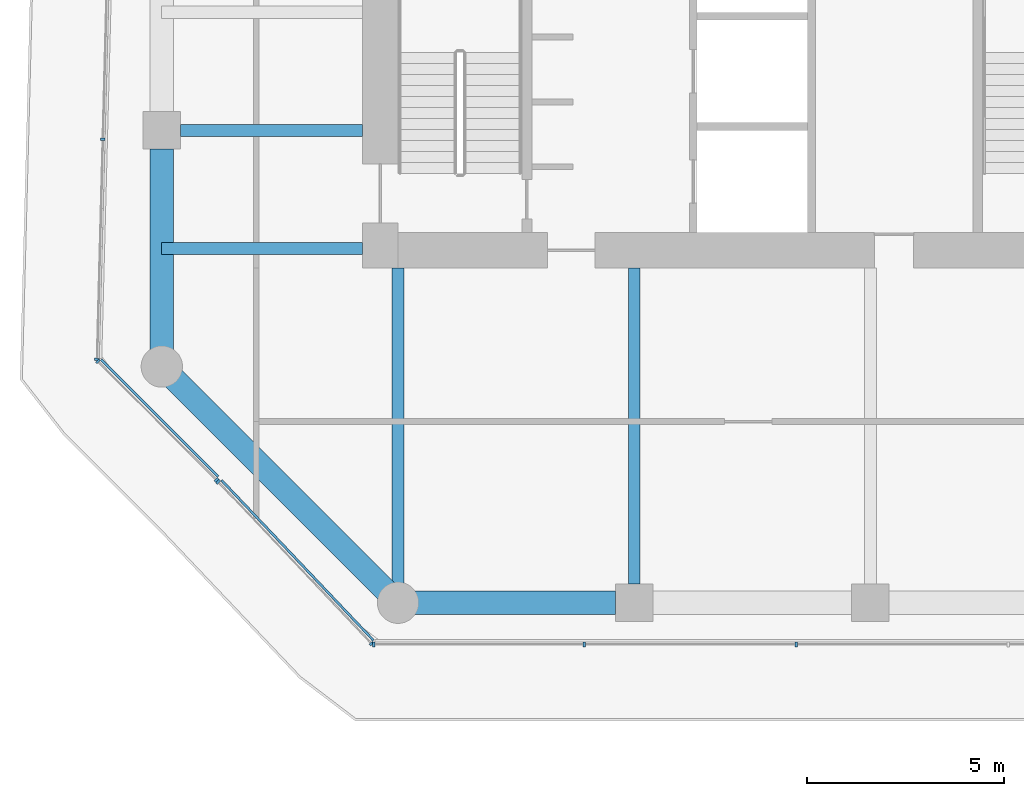
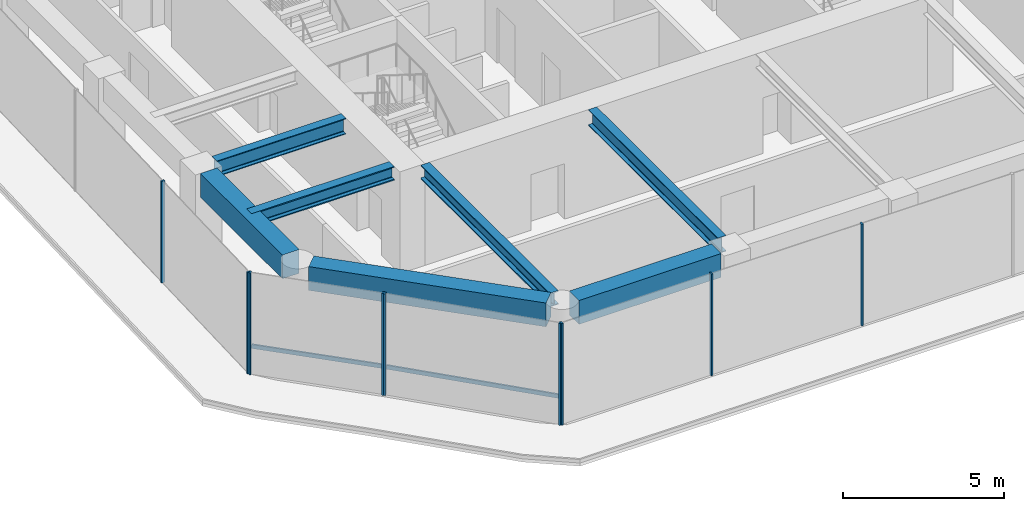
# One storey, part 2 of 28: 11 members, 7 beams, 4 elements without a shape of their own.
"""IFC4 building model written with IfcOpenShell, lengths in metres."""

from ifc_helpers import new_model, si_unit, direction, frame, origin, origin_2d, place, context, subcontext, project, spatial, rectangle, i_section, extrude, material, layer, layer_set, material_profile, profile_set, type_object, element, aggregate, save


model = new_model("IFC4")

# Units and contexts
model_context = context("Model", 3, precision=1e-05, world=origin(), true_north=direction((0.0, 1.0)))
body_context = subcontext(model_context, "Body", "Model", "MODEL_VIEW")
ifc_project = project(units=[si_unit("LENGTHUNIT", "METRE"), si_unit("AREAUNIT", "SQUARE_METRE"), si_unit("VOLUMEUNIT", "CUBIC_METRE"), si_unit("PLANEANGLEUNIT", "RADIAN"), si_unit("MASSUNIT", "GRAM", prefix="KILO")], contexts=[model_context])

# Site, building, storey
site_placement = place(None, origin())
site = spatial("IfcSite", under=ifc_project, at=site_placement, CompositionType="ELEMENT")
building_placement = place(site_placement, origin())
building = spatial("IfcBuilding", under=site, at=building_placement, Name="Welwitschia Terrace Campus", CompositionType="ELEMENT")
storey_placement = place(building_placement, frame((0.0, 0.0, 45.800048828125)))
storey = spatial("IfcBuildingStorey", under=building, at=storey_placement, Name="L10", CompositionType="ELEMENT", Elevation=45.800048828125)

# Beams
ifc_material_1 = material(Name="Steel S355", Category="steel")
ifc_material_profile_1 = material_profile(ifc_material_1, i_section(OverallWidth=0.305908203125, OverallDepth=0.52392578125, WebThickness=0.02099609375, FlangeThickness=0.0400390625, FilletRadius=0.027099609375, at=origin_2d()))
ifc_profile_set_1 = profile_set([ifc_material_profile_1], Name="Steel S355")
beam_type_1 = type_object("IfcBeamType", Name="Interior girder HE 500 M", PredefinedType="BEAM", material=ifc_profile_set_1)
beam_1_placement = place(storey_placement, frame((-0.010009765625, 5.0, 3.587890625), z_axis=(1.0, 0.0, 0.0), x_axis=(0.0, 1.0, 0.0)))
element("IfcBeam", 1, at=beam_1_placement, inside=storey, type_object=beam_type_1, Name="Girder GB2", PredefinedType="BEAM", context=body_context, shape_type="SweptSolid", body=[
    extrude(i_section(OverallWidth=0.305908203125, OverallDepth=0.52392578125, WebThickness=0.02099609375, FlangeThickness=0.0400390625, FilletRadius=0.027099609375, at=origin_2d()), origin(), (0.0, 0.0, 1.0), 5.109130859375),
])
beam_2_placement = place(storey_placement, frame((6.0, -3.507080078125, 3.587890625), z_axis=(0.0, 1.0, 0.0), x_axis=(-1.0, 0.0, 0.0)))
element("IfcBeam", 2, at=beam_2_placement, inside=storey, type_object=beam_type_1, Name="Girder GB2", PredefinedType="BEAM", context=body_context, shape_type="SweptSolid", body=[
    extrude(i_section(OverallWidth=0.305908203125, OverallDepth=0.52392578125, WebThickness=0.02099609375, FlangeThickness=0.0400390625, FilletRadius=0.027099609375, at=origin_2d()), origin(), (0.0, 0.0, 1.0), 8.006103515625),
])

# Curtain wall, members
ifc_material_2 = material(Name="Bronze anodised aluminium", Category="aluminium")
ifc_layer = layer(ifc_material_2, 0.1201171875)
ifc_layer_set = layer_set([ifc_layer], Name="Bronze anodised aluminium")
curtain_wall_type = type_object("IfcCurtainWallType", Name="Curtain wall CW2 tower 6000", PredefinedType="NOTDEFINED", material=ifc_layer_set)
curtain_wall_1_placement = place(storey_placement, origin())
curtain_wall_1 = element("IfcCurtainWall", 3, at=curtain_wall_1_placement, inside=storey, type_object=curtain_wall_type, Name="CW L10.0.0", PredefinedType="NOTDEFINED")
ifc_material_3 = material(Name="Bronze anodised aluminium", Category="aluminium")
ifc_material_profile_2 = material_profile(ifc_material_3, rectangle(XDim=0.1201171875, YDim=0.06005859375, at=origin_2d()))
ifc_profile_set_2 = profile_set([ifc_material_profile_2], Name="Bronze anodised aluminium")
member_type_1 = type_object("IfcMemberType", Name="Mullion 60x120", PredefinedType="MULLION", material=ifc_profile_set_2)
member_1_placement = place(storey_placement, frame((1.43017578125, -0.927490234375, 0.0), z_axis=(0.0, 0.0, 1.0), x_axis=(0.725374371012, 0.688354575694, 0.0)))
member_1 = element("IfcMember", 4, at=member_1_placement, type_object=member_type_1, Name="Mullion L10.0.0.0", PredefinedType="MULLION", context=body_context, shape_type="SweptSolid", body=[
    extrude(rectangle(XDim=0.1201171875, YDim=0.06005859375, at=origin_2d()), origin(), (0.0, 0.0, 1.0), 3.849853515625),
])
member_2_placement = place(storey_placement, frame((5.3291015625, -5.0361328125, 0.0), z_axis=(0.0, 0.0, 1.0), x_axis=(0.725374371012, 0.688354575694, 0.0)))
member_2 = element("IfcMember", 5, at=member_2_placement, type_object=member_type_1, Name="Mullion L10.0.0.1", PredefinedType="MULLION", context=body_context, shape_type="SweptSolid", body=[
    extrude(rectangle(XDim=0.1201171875, YDim=0.06005859375, at=origin_2d()), origin(), (0.0, 0.0, 1.0), 3.849853515625),
])

curtain_wall_2_placement = place(storey_placement, origin())
curtain_wall_2 = element("IfcCurtainWall", 6, at=curtain_wall_2_placement, inside=storey, type_object=curtain_wall_type, Name="CW L10.1.0", PredefinedType="NOTDEFINED")
member_3_placement = place(storey_placement, frame((5.3798828125, -5.05810546875, 0.0), z_axis=(0.0, 0.0, 1.0), x_axis=(0.0, 1.0, 0.0)))
member_3 = element("IfcMember", 7, at=member_3_placement, type_object=member_type_1, Name="Mullion L10.1.0.0", PredefinedType="MULLION", context=body_context, shape_type="SweptSolid", body=[
    extrude(rectangle(XDim=0.1201171875, YDim=0.06005859375, at=origin_2d()), origin(), (0.0, 0.0, 1.0), 3.849853515625),
])
member_4_placement = place(storey_placement, frame((10.7333984375, -5.05810546875, 0.0), z_axis=(0.0, 0.0, 1.0), x_axis=(0.0, 1.0, 0.0)))
member_4 = element("IfcMember", 8, at=member_4_placement, type_object=member_type_1, Name="Mullion L10.1.0.1", PredefinedType="MULLION", context=body_context, shape_type="SweptSolid", body=[
    extrude(rectangle(XDim=0.1201171875, YDim=0.06005859375, at=origin_2d()), origin(), (0.0, 0.0, 1.0), 3.849853515625),
])
member_5_placement = place(storey_placement, frame((16.1171875, -5.05810546875, 0.0), z_axis=(0.0, 0.0, 1.0), x_axis=(0.0, 1.0, 0.0)))
member_5 = element("IfcMember", 9, at=member_5_placement, type_object=member_type_1, Name="Mullion L10.1.0.2", PredefinedType="MULLION", context=body_context, shape_type="SweptSolid", body=[
    extrude(rectangle(XDim=0.1201171875, YDim=0.06005859375, at=origin_2d()), origin(), (0.0, 0.0, 1.0), 3.849853515625),
])
aggregate(curtain_wall_2, [member_3, member_4, member_5])

curtain_wall_3_placement = place(storey_placement, origin())
curtain_wall_3 = element("IfcCurtainWall", 10, at=curtain_wall_3_placement, inside=storey, type_object=curtain_wall_type, Name="CW L10.12.0", PredefinedType="NOTDEFINED")
member_6_placement = place(storey_placement, frame((-1.5, 7.77734375, 0.0), z_axis=(0.0, 0.0, 1.0), x_axis=(0.999657324976, -0.026176948308, 0.0)))
member_6 = element("IfcMember", 11, at=member_6_placement, type_object=member_type_1, Name="Mullion L10.12.0.3", PredefinedType="MULLION", context=body_context, shape_type="SweptSolid", body=[
    extrude(rectangle(XDim=0.1201171875, YDim=0.06005859375, at=origin_2d()), origin(), (0.0, 0.0, 1.0), 3.849853515625),
])
member_7_placement = place(storey_placement, frame((-1.646484375, 2.18115234375, 0.0), z_axis=(0.0, 0.0, 1.0), x_axis=(0.999657324976, -0.026176948308, 0.0)))
member_7 = element("IfcMember", 12, at=member_7_placement, type_object=member_type_1, Name="Mullion L10.12.0.4", PredefinedType="MULLION", context=body_context, shape_type="SweptSolid", body=[
    extrude(rectangle(XDim=0.1201171875, YDim=0.06005859375, at=origin_2d()), origin(), (0.0, 0.0, 1.0), 3.849853515625),
])
aggregate(curtain_wall_3, [member_6, member_7])

curtain_wall_4_placement = place(storey_placement, origin())
curtain_wall_4 = element("IfcCurtainWall", 13, at=curtain_wall_4_placement, inside=storey, type_object=curtain_wall_type, Name="CW L10.13.0", PredefinedType="NOTDEFINED")
member_8_placement = place(storey_placement, frame((-1.6259765625, 2.1298828125, 0.0), z_axis=(0.0, 0.0, 1.0), x_axis=(0.707106781187, 0.707106781187, 0.0)))
member_8 = element("IfcMember", 14, at=member_8_placement, type_object=member_type_1, Name="Mullion L10.13.0.0", PredefinedType="MULLION", context=body_context, shape_type="SweptSolid", body=[
    extrude(rectangle(XDim=0.1201171875, YDim=0.06005859375, at=origin_2d()), origin(), (0.0, 0.0, 1.0), 3.849853515625),
])
member_9_placement = place(storey_placement, frame((1.38818359375, -0.884521484375, 0.0), z_axis=(0.0, 0.0, 1.0), x_axis=(0.707106781187, 0.707106781187, 0.0)))
member_9 = element("IfcMember", 15, at=member_9_placement, type_object=member_type_1, Name="Mullion L10.13.0.1", PredefinedType="MULLION", context=body_context, shape_type="SweptSolid", body=[
    extrude(rectangle(XDim=0.1201171875, YDim=0.06005859375, at=origin_2d()), origin(), (0.0, 0.0, 1.0), 3.849853515625),
])

# Beams
ifc_material_4 = material(Name="Steel S355", Category="steel")
ifc_material_profile_3 = material_profile(ifc_material_4, i_section(OverallWidth=0.300048828125, OverallDepth=0.60009765625, WebThickness=0.015380859375, FlangeThickness=0.030029296875, FilletRadius=0.027099609375, at=origin_2d()))
ifc_profile_set_3 = profile_set([ifc_material_profile_3], Name="Steel S355")
beam_type_2 = type_object("IfcBeamType", Name="Primary beam HE 600 B", PredefinedType="BEAM", material=ifc_profile_set_3)
beam_3_placement = place(storey_placement, frame((12.0, -3.5244140625, 3.550048828125), z_axis=(0.0, 1.0, 0.0), x_axis=(-1.0, 0.0, 0.0)))
element("IfcBeam", 16, at=beam_3_placement, inside=storey, type_object=beam_type_2, Name="Primary beam PB2", PredefinedType="BEAM", context=body_context, shape_type="SweptSolid", body=[
    extrude(i_section(OverallWidth=0.300048828125, OverallDepth=0.60009765625, WebThickness=0.015380859375, FlangeThickness=0.030029296875, FilletRadius=0.027099609375, at=origin_2d()), origin(), (0.0, 0.0, 1.0), 8.0244140625),
])
beam_4_placement = place(storey_placement, frame((0.4755859375, 8.0, 3.550048828125), z_axis=(1.0, 0.0, 0.0), x_axis=(0.0, 1.0, 0.0)))
element("IfcBeam", 17, at=beam_4_placement, inside=storey, type_object=beam_type_2, Name="Primary beam PB2", PredefinedType="BEAM", context=body_context, shape_type="SweptSolid", body=[
    extrude(i_section(OverallWidth=0.300048828125, OverallDepth=0.60009765625, WebThickness=0.015380859375, FlangeThickness=0.030029296875, FilletRadius=0.027099609375, at=origin_2d()), origin(), (0.0, 0.0, 1.0), 4.62451171875),
])
ifc_material_5 = material(Name="Concrete C60/75", Category="concrete")
ifc_material_profile_4 = material_profile(ifc_material_5, rectangle(XDim=0.60009765625, YDim=0.89990234375, at=origin_2d()))
ifc_profile_set_4 = profile_set([ifc_material_profile_4], Name="Concrete C60/75")
beam_type_3 = type_object("IfcBeamType", Name="Ring spandrel 600x900", PredefinedType="SPANDREL", material=ifc_profile_set_4)
beam_5_placement = place(storey_placement, frame((0.30517578125, 1.69482421875, 3.39990234375), z_axis=(0.707106781187, -0.707106781187, 0.0), x_axis=(0.707106781187, 0.707106781187, 0.0)))
element("IfcBeam", 18, at=beam_5_placement, inside=storey, type_object=beam_type_3, Name="Spandrel SP2", PredefinedType="SPANDREL", context=body_context, shape_type="SweptSolid", body=[
    extrude(rectangle(XDim=0.60009765625, YDim=0.89990234375, at=origin_2d()), origin(), (0.0, 0.0, 1.0), 7.6220703125),
])
for number, where, z_axis, x_axis, name in (
    (19, (6.431396484375, -4.0, 3.39990234375), (1.0, 0.0, 0.0), (0.0, 1.0, 0.0), "Spandrel SP2"),
    (20, (0.0, 7.5244140625, 3.39990234375), (0.0, -1.0, 0.0), (1.0, 0.0, 0.0), "Spandrel SP2"),
):
    element("IfcBeam", number, at=place(storey_placement, frame(where, z_axis=z_axis, x_axis=x_axis)), inside=storey, type_object=beam_type_3, Name=name, PredefinedType="SPANDREL", context=body_context, shape_type="SweptSolid", body=[
        extrude(rectangle(XDim=0.60009765625, YDim=0.89990234375, at=origin_2d()), origin(), (0.0, 0.0, 1.0), 5.093017578125),
    ])

# Member
ifc_material_6 = material(Name="Bronze anodised aluminium", Category="aluminium")
ifc_material_profile_5 = material_profile(ifc_material_6, rectangle(XDim=0.06005859375, YDim=0.14990234375, at=origin_2d()))
ifc_profile_set_5 = profile_set([ifc_material_profile_5], Name="Bronze anodised aluminium")
member_type_2 = type_object("IfcMemberType", Name="Transom 60x150", PredefinedType="USERDEFINED", material=ifc_profile_set_5)
member_10_placement = place(storey_placement, frame((1.51611328125, -0.88720703125, 1.0), z_axis=(0.688328033412, -0.725399557774, 0.0), x_axis=(0.725399557774, 0.688328033412, 0.0)))
member_10 = element("IfcMember", 21, at=member_10_placement, type_object=member_type_2, Name="Transom L10.0.0", ObjectType="TRANSOM", PredefinedType="USERDEFINED", context=body_context, shape_type="SweptSolid", body=[
    extrude(rectangle(XDim=0.06005859375, YDim=0.14990234375, at=origin_2d()), origin(), (0.0, 0.0, 1.0), 5.6044921875),
])

aggregate(curtain_wall_1, [member_1, member_2, member_10])

member_11_placement = place(storey_placement, frame((-1.541259765625, 2.17236328125, 1.0), z_axis=(0.707106781187, -0.707106781187, 0.0), x_axis=(0.707106781187, 0.707106781187, 0.0)))
member_11 = element("IfcMember", 22, at=member_11_placement, type_object=member_type_2, Name="Transom L10.13.0", ObjectType="TRANSOM", PredefinedType="USERDEFINED", context=body_context, shape_type="SweptSolid", body=[
    extrude(rectangle(XDim=0.06005859375, YDim=0.14990234375, at=origin_2d()), origin(), (0.0, 0.0, 1.0), 4.202880859375),
])

aggregate(curtain_wall_4, [member_8, member_9, member_11])

save(model, "model.ifc")
